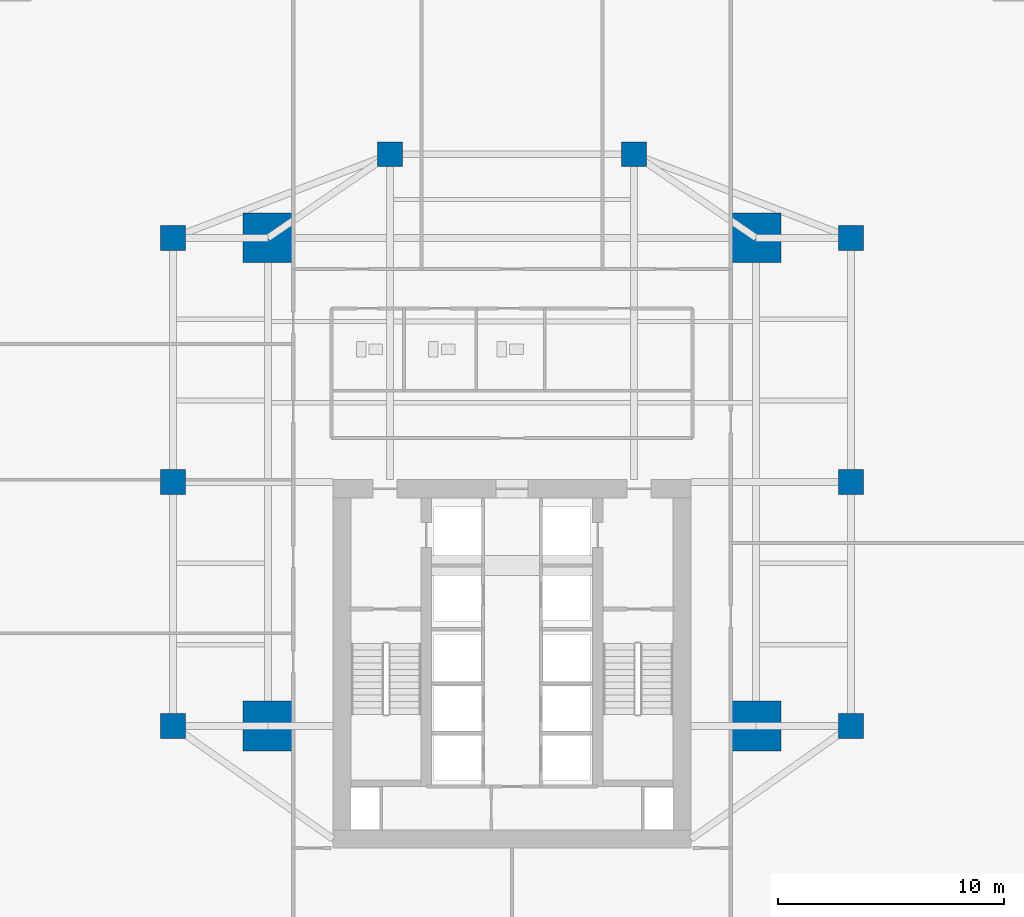
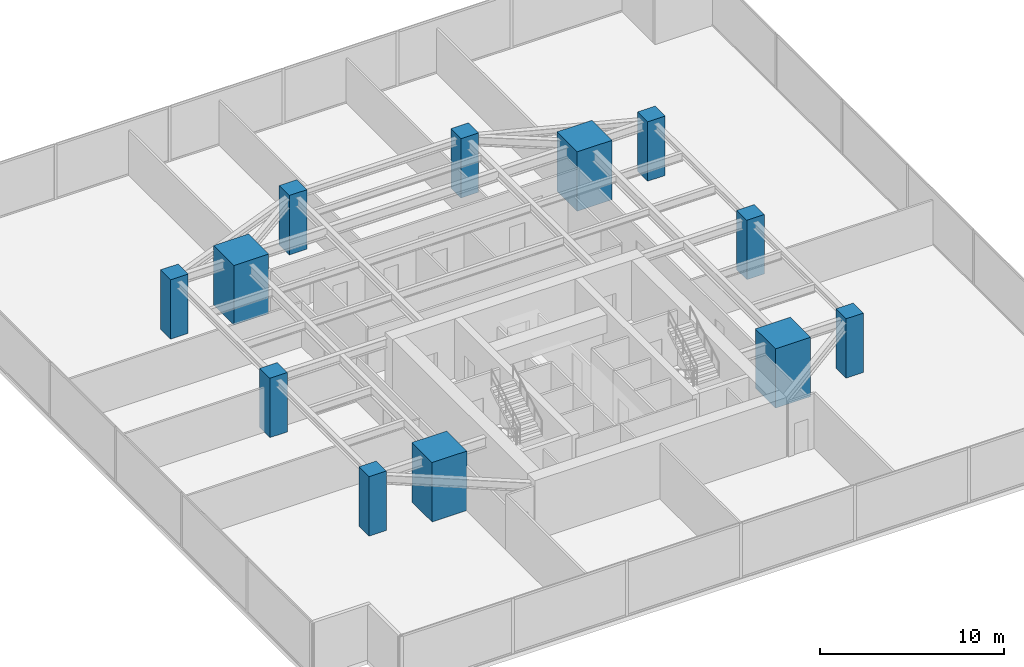
# One storey, part 1 of 28: 12 columns.
"""IFC4 building model written with IfcOpenShell, lengths in metres."""

import ifcopenshell
import ifcopenshell.guid

model = None  # the IFC model being written
_history = None  # IfcOwnerHistory: only IFC2X3 demands one
_inside = {}  # id of a spatial element -> (the spatial element, [elements in it])
_under = {}  # id of a project, library or spatial element -> (it, [spatial elements below it])
_declared = {}  # id of a project -> (the project, [libraries it declares])
_typed = {}  # id of a type object -> (the type object, [elements of that type])
_made_of = {}  # id of a material, layer set ... -> (it, [elements and type objects made of it])


def new_model(schema):
    """Start an empty IFC model of exactly this schema.

    Asked for "IFC4X3", IfcOpenShell would pick the latest addendum, in which some entities
    have other attributes; the version numbers below select the first issue.
    IFC2X3 requires an IfcOwnerHistory on every rooted entity: one is made here for all.
    """
    global model, _history
    if schema == "IFC4X3":
        model = ifcopenshell.file(schema_version=(4, 3, 0, 0))
    else:
        model = ifcopenshell.file(schema=schema)
    _inside.clear()
    _under.clear()
    _declared.clear()
    _typed.clear()
    _made_of.clear()
    _history = None
    if model.schema == "IFC2X3":
        org = make("IfcOrganization", Name="unknown")
        user = make(
            "IfcPersonAndOrganization",
            ThePerson=make("IfcPerson", FamilyName="unknown"),
            TheOrganization=org,
        )
        app = make(
            "IfcApplication",
            ApplicationDeveloper=org,
            Version="unknown",
            ApplicationFullName="unknown",
            ApplicationIdentifier="unknown",
        )
        _history = make(
            "IfcOwnerHistory",
            OwningUser=user,
            OwningApplication=app,
            ChangeAction="ADDED",
            CreationDate=0,
        )
    return model


def make(cls, **values):
    """One entity of the class cls with the attributes given. An attribute that is None is left unset."""
    return model.create_entity(
        cls, **{name: value for name, value in values.items() if value is not None}
    )


def rooted(cls, **values):
    """An entity with a GlobalId (a new one), such as an element, a storey or a relation."""
    return make(cls, GlobalId=ifcopenshell.guid.new(), OwnerHistory=_history, **values)


def si_unit(unit_type, name, prefix=None):
    """IfcSIUnit, for example si_unit("LENGTHUNIT", "METRE", prefix="MILLI")."""
    return make("IfcSIUnit", UnitType=unit_type, Prefix=prefix, Name=name)


def assignment(units):
    """IfcUnitAssignment: the units of a project."""
    return None if units is None else make("IfcUnitAssignment", Units=units)


def point(xyz):
    """IfcCartesianPoint."""
    return None if xyz is None else make("IfcCartesianPoint", Coordinates=xyz)


def direction(xyz):
    """IfcDirection."""
    return None if xyz is None else make("IfcDirection", DirectionRatios=xyz)


def frame(location, z_axis=None, x_axis=None):
    """IfcAxis2Placement3D, a coordinate frame: its origin and axes. An axis left out is left unset."""
    return make(
        "IfcAxis2Placement3D",
        Location=point(location),
        Axis=direction(z_axis),
        RefDirection=direction(x_axis),
    )


def frame_2d(location, x_axis=None):
    """IfcAxis2Placement2D, a coordinate frame in the plane: its origin and x axis."""
    return make(
        "IfcAxis2Placement2D", Location=point(location), RefDirection=direction(x_axis)
    )


def origin():
    """The frame at (0, 0, 0) with its axes left unset."""
    return frame((0.0, 0.0, 0.0))


def origin_2d():
    """The frame at (0, 0) in the plane with its x axis left unset."""
    return frame_2d((0.0, 0.0))


def place(relative_to, where):
    """IfcLocalPlacement: puts the frame where relative to a parent placement (None: the world)."""
    return make(
        "IfcLocalPlacement", PlacementRelTo=relative_to, RelativePlacement=where
    )


def context(
    kind, dimensions, precision=None, world=None, true_north=None, identifier=None
):
    """IfcGeometricRepresentationContext, for example the 3D "Model" context."""
    return make(
        "IfcGeometricRepresentationContext",
        ContextIdentifier=identifier,
        ContextType=kind,
        CoordinateSpaceDimension=dimensions,
        Precision=precision,
        WorldCoordinateSystem=world,
        TrueNorth=true_north,
    )


def subcontext(parent, identifier, kind, view, scale=None):
    """IfcGeometricRepresentationSubContext, for example "Body" below "Model"."""
    return make(
        "IfcGeometricRepresentationSubContext",
        ContextIdentifier=identifier,
        ContextType=kind,
        ParentContext=parent,
        TargetScale=scale,
        TargetView=view,
    )


def project(units=None, contexts=None):
    """IfcProject with its units and contexts."""
    return rooted(
        "IfcProject",
        Name="project",
        RepresentationContexts=contexts,
        UnitsInContext=assignment(units),
    )


def spatial(cls, under=None, at=None, **own):
    """A site, building, storey or space (cls), placed at a placement, below another one or the project."""
    s = rooted(cls, ObjectPlacement=at, **own)
    if under is not None:
        _under.setdefault(under.id(), (under, []))[1].append(s)
    return s


def profile(cls, at=None, kind="AREA", **sizes):
    """A parametric profile (cls). Its sizes go by their IFC names, for example OverallWidth=200.0."""
    return make(cls, ProfileType=kind, Position=at, **sizes)


def rectangle(**sizes):
    """IfcRectangleProfileDef."""
    return profile("IfcRectangleProfileDef", **sizes)


def extrude(swept, where, along, depth):
    """IfcExtrudedAreaSolid: the profile swept, set in the frame where, extruded along a direction by depth."""
    return make(
        "IfcExtrudedAreaSolid",
        SweptArea=swept,
        Position=where,
        ExtrudedDirection=direction(along),
        Depth=depth,
    )


def shape(context_of_items, identifier, shape_type, items):
    """IfcShapeRepresentation: the items that make up one representation, for example the "Body"."""
    return make(
        "IfcShapeRepresentation",
        ContextOfItems=context_of_items,
        RepresentationIdentifier=identifier,
        RepresentationType=shape_type,
        Items=items,
    )


def source(mapping_origin, context_of_items, identifier, shape_type, items):
    """IfcRepresentationMap: a shape defined once, which mapped items show again and again."""
    return make(
        "IfcRepresentationMap",
        MappingOrigin=mapping_origin,
        MappedRepresentation=shape(context_of_items, identifier, shape_type, items),
    )


def transform(
    local_origin,
    x_axis=None,
    y_axis=None,
    z_axis=None,
    scale=None,
    scale2=None,
    scale3=None,
    uniform=True,
):
    """IfcCartesianTransformationOperator3D, or its non-uniform kind. x_axis, y_axis, z_axis: its Axis1, 2, 3."""
    if uniform:
        return make(
            "IfcCartesianTransformationOperator3D",
            Axis1=direction(x_axis),
            Axis2=direction(y_axis),
            LocalOrigin=point(local_origin),
            Scale=scale,
            Axis3=direction(z_axis),
        )
    return make(
        "IfcCartesianTransformationOperator3DnonUniform",
        Axis1=direction(x_axis),
        Axis2=direction(y_axis),
        LocalOrigin=point(local_origin),
        Scale=scale,
        Axis3=direction(z_axis),
        Scale2=scale2,
        Scale3=scale3,
    )


def mapped(mapping_source, mapping_target):
    """IfcMappedItem: shows the shape of a source again, moved by a transform."""
    return make(
        "IfcMappedItem", MappingSource=mapping_source, MappingTarget=mapping_target
    )


def material(Name=None, Category=None):
    """IfcMaterial."""
    return make("IfcMaterial", Name=Name, Category=Category)


def material_profile(
    of_material, cross_section, Name=None, Category=None, Priority=None
):
    """IfcMaterialProfile: a cross section and its material."""
    return make(
        "IfcMaterialProfile",
        Name=Name,
        Material=of_material,
        Profile=cross_section,
        Priority=Priority,
        Category=Category,
    )


def profile_set(profiles, Name=None, composite=None):
    """IfcMaterialProfileSet."""
    return make(
        "IfcMaterialProfileSet",
        Name=Name,
        MaterialProfiles=profiles,
        CompositeProfile=composite,
    )


def made_of(thing, what):
    """Note that an element or type object is made of a material, layer set ...; save() writes the relation."""
    if what is not None:
        _made_of.setdefault(what.id(), (what, []))[1].append(thing)
    return thing


def type_object(cls, material=None, **own):
    """A type object (cls), such as IfcWallType, which elements share."""
    return made_of(rooted(cls, **own), material)


def type_shapes(of_type, sources):
    """Give a type object the sources (RepresentationMaps) that its elements show as mapped items."""
    of_type.RepresentationMaps = sources


def element(
    cls,
    number,
    at=None,
    inside=None,
    cuts=None,
    type_object=None,
    material=None,
    context=None,
    identifier="Body",
    shape_type=None,
    held_by="IfcProductDefinitionShape",
    body=None,
    shapes=None,
    **own,
):
    """One element of the class cls, such as IfcWall. Its Tag is "e" and its number.

    at: its placement. inside: the storey or other place that contains it. cuts: it is an
    opening in that element (IfcRelVoidsElement). A single representation is given by context,
    identifier, shape_type and body (its items); several are given by shapes. held_by: the class
    of the entity that holds the representations. save() writes the other relations.
    """
    e = rooted(cls, Tag="e%d" % number, ObjectPlacement=at, **own)
    if body is not None:
        shapes = [shape(context, identifier, shape_type, body)]
    if shapes is not None:
        e.Representation = make(held_by, Representations=shapes)
    if inside is not None:
        _inside.setdefault(inside.id(), (inside, []))[1].append(e)
    if cuts is not None:
        rooted(
            "IfcRelVoidsElement", RelatingBuildingElement=cuts, RelatedOpeningElement=e
        )
    if type_object is not None:
        _typed.setdefault(type_object.id(), (type_object, []))[1].append(e)
    return made_of(e, material)


def aggregate(whole, parts):
    """IfcRelAggregates: a whole, such as a stair, and the parts it consists of."""
    return rooted("IfcRelAggregates", RelatingObject=whole, RelatedObjects=parts)


def save(model, path):
    """Write the relations noted so far, then the file.

    IfcRelAggregates (storeys below a building ...), IfcRelContainedInSpatialStructure (elements
    in a storey), IfcRelDefinesByType, IfcRelAssociatesMaterial and IfcRelDeclares: one each for
    every whole, place, type object, material and project.
    """
    for whole, parts in _under.values():
        aggregate(whole, parts)
    for where, things in _inside.values():
        rooted(
            "IfcRelContainedInSpatialStructure",
            RelatedElements=things,
            RelatingStructure=where,
        )
    for kind, things in _typed.values():
        rooted("IfcRelDefinesByType", RelatedObjects=things, RelatingType=kind)
    for what, things in _made_of.values():
        rooted("IfcRelAssociatesMaterial", RelatedObjects=things, RelatingMaterial=what)
    for by, libraries in _declared.values():
        rooted("IfcRelDeclares", RelatingContext=by, RelatedDefinitions=libraries)
    model.write(path)


model = new_model("IFC4")

# Units and contexts
model_context = context("Model", 3, precision=1e-05, world=origin(), true_north=direction((0.0, 1.0)))
body_context = subcontext(model_context, "Body", "Model", "MODEL_VIEW")
ifc_project = project(units=[si_unit("LENGTHUNIT", "METRE"), si_unit("AREAUNIT", "SQUARE_METRE"), si_unit("VOLUMEUNIT", "CUBIC_METRE"), si_unit("PLANEANGLEUNIT", "RADIAN"), si_unit("MASSUNIT", "GRAM", prefix="KILO")], contexts=[model_context])

# Site, building, storey
site_placement = place(None, origin())
site = spatial("IfcSite", under=ifc_project, at=site_placement, CompositionType="ELEMENT")
building_placement = place(site_placement, origin())
building = spatial("IfcBuilding", under=site, at=building_placement, Name="Krantzveldt Concourse Tower", CompositionType="ELEMENT")
storey_placement = place(building_placement, frame((0.0, 0.0, 32.89990234375)))
storey = spatial("IfcBuildingStorey", under=building, at=storey_placement, Name="L07", CompositionType="ELEMENT", Elevation=32.89990234375)

# Columns
ifc_material = material(Name="Concrete C60/75", Category="concrete")
ifc_material_profile_1 = material_profile(ifc_material, rectangle(XDim=2.199951171875, YDim=2.199951171875, at=origin_2d()), Name="Concrete C60/75", Category="concrete")
ifc_profile_set_1 = profile_set([ifc_material_profile_1], Name="Concrete C60/75 - RC 2200x2200")
column_type_1 = type_object("IfcColumnType", Name="COL-MC-2200", PredefinedType="USERDEFINED", material=ifc_profile_set_1)
shared_shape_1 = source(origin(), body_context, "Body", "SweptSolid", [
    extrude(rectangle(XDim=2.199951171875, YDim=2.199951171875, at=origin_2d()), origin(), (0.0, 0.0, 1.0), 3.9501953125),
])
type_shapes(column_type_1, [shared_shape_1])
for number, where, z_axis, x_axis, name in (
    (1, (25.199951171875, 15.89990234375, 0.0), (0.0, 0.0, 1.0), (1.0, 0.0, 0.0), "MC-SW-L07"),
    (2, (46.800048828125, 15.89990234375, 0.0), (0.0, 0.0, 1.0), (1.0, 0.0, 0.0), "MC-SE-L07"),
    (3, (46.800048828125, 37.5, 0.0), (0.0, 0.0, 1.0), (1.0, 0.0, 0.0), "MC-NE-L07"),
    (4, (25.199951171875, 37.5, 0.0), (0.0, 0.0, 1.0), (1.0, 0.0, 0.0), "MC-NW-L07"),
):
    element("IfcColumn", number, at=place(storey_placement, frame(where, z_axis=z_axis, x_axis=x_axis)), inside=storey, type_object=column_type_1, Name=name, ObjectType="MEGA COLUMN", PredefinedType="USERDEFINED", context=body_context, shape_type="MappedRepresentation", body=[
        mapped(shared_shape_1, transform((0.0, 0.0, 0.0), x_axis=(1.0, 0.0, 0.0), y_axis=(0.0, 1.0, 0.0), z_axis=(0.0, 0.0, 1.0), scale=1.0)),
    ])
ifc_material_profile_2 = material_profile(ifc_material, rectangle(XDim=1.10009765625, YDim=1.10009765625, at=origin_2d()), Name="Concrete C60/75", Category="concrete")
ifc_profile_set_2 = profile_set([ifc_material_profile_2], Name="Concrete C60/75 - RC 1100x1100")
column_type_2 = type_object("IfcColumnType", Name="COL-C-Z1", PredefinedType="COLUMN", material=ifc_profile_set_2)
shared_shape_2 = source(origin(), body_context, "Body", "SweptSolid", [
    extrude(rectangle(XDim=1.10009765625, YDim=1.10009765625, at=origin_2d()), origin(), (0.0, 0.0, 1.0), 3.9501953125),
])
type_shapes(column_type_2, [shared_shape_2])
for number, where, z_axis, x_axis, name in (
    (5, (21.0, 15.89990234375, 0.0), (0.0, 0.0, 1.0), (1.0, 0.0, 0.0), "PC-R01-L07"),
    (6, (21.0, 26.699951171875, 0.0), (0.0, 0.0, 1.0), (1.0, 0.0, 0.0), "PC-R02-L07"),
    (7, (21.0, 37.5, 0.0), (0.0, 0.0, 1.0), (1.0, 0.0, 0.0), "PC-R03-L07"),
    (8, (30.60009765625, 41.199951171875, 0.0), (0.0, 0.0, 1.0), (1.0, 0.0, 0.0), "PC-R04-L07"),
    (9, (41.39990234375, 41.199951171875, 0.0), (0.0, 0.0, 1.0), (1.0, 0.0, 0.0), "PC-R05-L07"),
    (10, (51.0, 37.5, 0.0), (0.0, 0.0, 1.0), (1.0, 0.0, 0.0), "PC-R06-L07"),
    (11, (51.0, 26.699951171875, 0.0), (0.0, 0.0, 1.0), (1.0, 0.0, 0.0), "PC-R07-L07"),
    (12, (51.0, 15.89990234375, 0.0), (0.0, 0.0, 1.0), (1.0, 0.0, 0.0), "PC-R08-L07"),
):
    element("IfcColumn", number, at=place(storey_placement, frame(where, z_axis=z_axis, x_axis=x_axis)), inside=storey, type_object=column_type_2, Name=name, PredefinedType="COLUMN", context=body_context, shape_type="MappedRepresentation", body=[
        mapped(shared_shape_2, transform((0.0, 0.0, 0.0), x_axis=(1.0, 0.0, 0.0), y_axis=(0.0, 1.0, 0.0), z_axis=(0.0, 0.0, 1.0), scale=1.0)),
    ])

save(model, "model.ifc")
